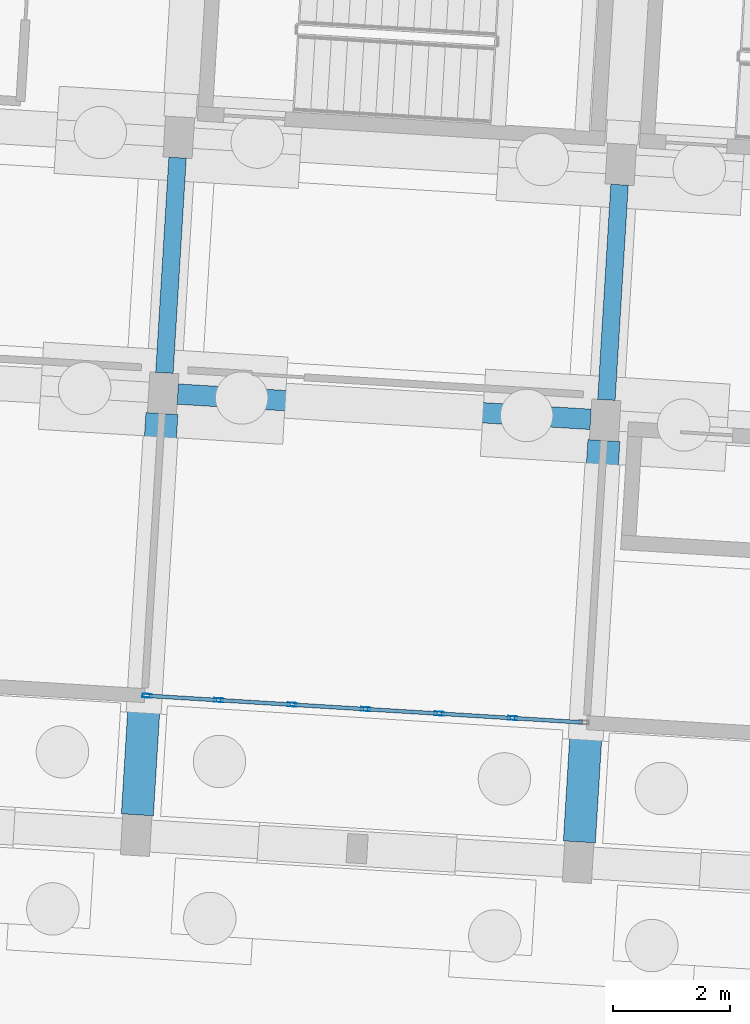
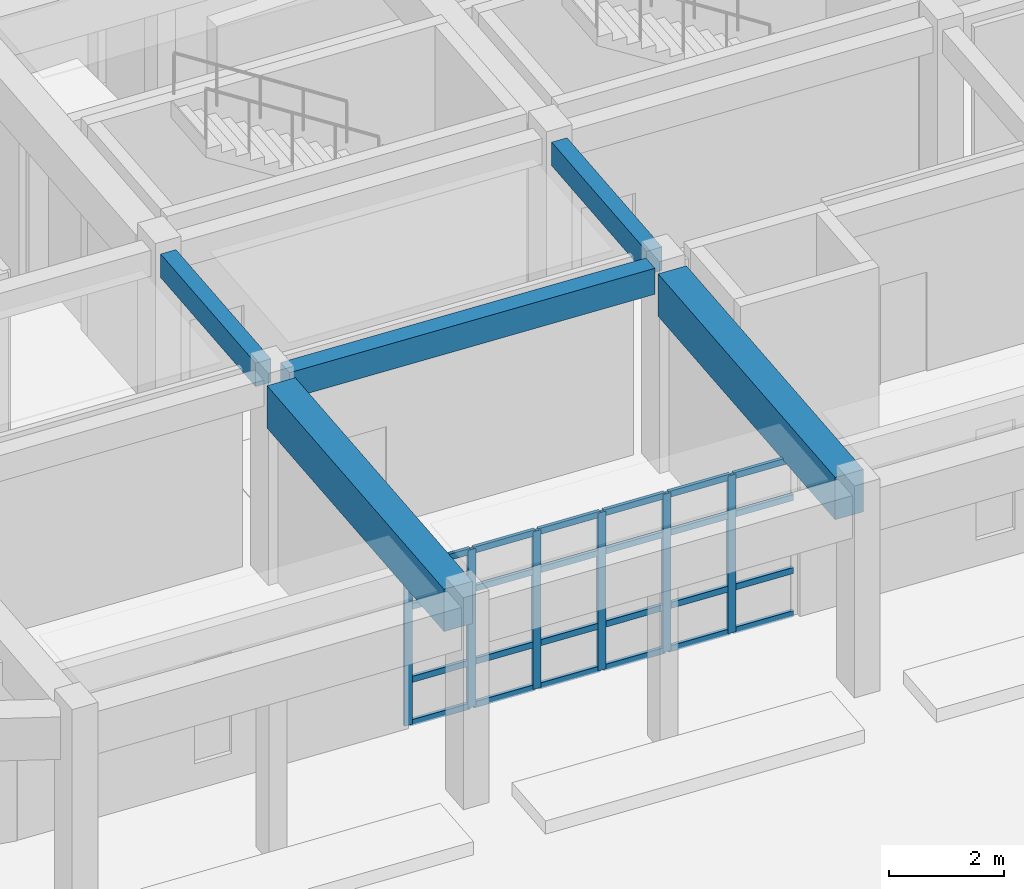
# One storey, part 49 of 154: 30 members, 5 beams, 1 element without a shape of its own.
"""IFC4 building model written with IfcOpenShell, lengths in metres."""

from ifc_helpers import new_model, si_unit, direction, frame, origin, origin_2d, place, context, subcontext, project, spatial, rectangle, hollow_rectangle, extrude, material, material_profile, profile_set, type_object, element, aggregate, save


model = new_model("IFC4")

# Units and contexts
model_context = context("Model", 3, precision=1e-05, world=origin(), true_north=direction((0.0, 1.0)))
body_context = subcontext(model_context, "Body", "Model", "MODEL_VIEW")
ifc_project = project(units=[si_unit("LENGTHUNIT", "METRE"), si_unit("AREAUNIT", "SQUARE_METRE"), si_unit("VOLUMEUNIT", "CUBIC_METRE"), si_unit("PLANEANGLEUNIT", "RADIAN"), si_unit("MASSUNIT", "GRAM", prefix="KILO")], contexts=[model_context])

# Site, building, storey
site_placement = place(None, origin())
site = spatial("IfcSite", under=ifc_project, at=site_placement, CompositionType="ELEMENT")
building_placement = place(site_placement, origin())
building = spatial("IfcBuilding", under=site, at=building_placement, Name="Kestramere Prow Commons", CompositionType="ELEMENT")
storey_placement = place(building_placement, origin())
storey = spatial("IfcBuildingStorey", under=building, at=storey_placement, Name="L00", CompositionType="ELEMENT", Elevation=0.0)

# Beams
ifc_material_1 = material(Name="Precast concrete C40/50", Category="concrete")
ifc_material_profile_1 = material_profile(ifc_material_1, rectangle(XDim=0.35009765625, YDim=0.550048828125, at=origin_2d()), Name="PC-BM 350x550")
ifc_profile_set_1 = profile_set([ifc_material_profile_1], Name="Precast concrete C40/50")
beam_type_1 = type_object("IfcBeamType", Name="BM-C1 PC-BM 350x550", PredefinedType="BEAM", material=ifc_profile_set_1)
beam_1_placement = place(storey_placement, frame((67.79931640625, 53.606689453125, 3.97509765625), z_axis=(0.998133472633, -0.061070212127, 0.0), x_axis=(0.061070212127, 0.998133472633, 0.0)))
element("IfcBeam", 1, at=beam_1_placement, inside=storey, type_object=beam_type_1, Name="Block C L00 Longitudinal Beam 2-2", PredefinedType="BEAM", context=body_context, shape_type="SweptSolid", body=[
    extrude(rectangle(XDim=0.35009765625, YDim=0.550048828125, at=origin_2d()), origin(), (0.0, 0.0, 1.0), 7.099853515625),
])
ifc_material_profile_2 = material_profile(ifc_material_1, rectangle(XDim=0.300048828125, YDim=0.5, at=origin_2d()), Name="PC-BM 300x500")
ifc_profile_set_2 = profile_set([ifc_material_profile_2], Name="Precast concrete C40/50")
beam_type_2 = type_object("IfcBeamType", Name="BM-TIE-01 PC-BM 300x500", PredefinedType="BEAM", material=ifc_profile_set_2)
for number, where, z_axis, x_axis, name in (
    (2, (67.571044921875, 53.97119140625, 4.0), (0.061100672272, 0.998131608481, 0.0), (-0.998131608481, 0.061100672272, 0.0), "Block C L00 Transverse Beam 2-2"),
    (3, (75.156982421875, 53.50732421875, 4.0), (0.061034934762, 0.998135630432, 0.0), (-0.998135630432, 0.061034934762, 0.0), "Block C L00 Transverse Beam 3-2"),
):
    element("IfcBeam", number, at=place(storey_placement, frame(where, z_axis=z_axis, x_axis=x_axis)), inside=storey, type_object=beam_type_2, Name=name, PredefinedType="BEAM", context=body_context, shape_type="SweptSolid", body=[
        extrude(rectangle(XDim=0.300048828125, YDim=0.5, at=origin_2d()), origin(), (0.0, 0.0, 1.0), 3.699951171875),
    ])

# Curtain wall, members
ifc_material_2 = material(Name="Anodised Aluminium and Low-E Glass", Category="aluminium")
curtain_wall_type = type_object("IfcCurtainWallType", Name="CW-07 Glazed Curtain Wall 7580x3350", PredefinedType="USERDEFINED", material=ifc_material_2)
curtain_wall_placement = place(storey_placement, origin())
curtain_wall = element("IfcCurtainWall", 4, at=curtain_wall_placement, inside=storey, type_object=curtain_wall_type, Name="Block C L00 South Colonnade Storefront 2", ObjectType="GLAZED CURTAIN WALL", PredefinedType="USERDEFINED")
ifc_material_3 = material(Name="Anodised Aluminium 6063-T6", Category="aluminium")
ifc_material_profile_3 = material_profile(ifc_material_3, hollow_rectangle(XDim=0.06494140625, YDim=0.159912109375, WallThickness=0.00390625, at=origin_2d()), Name="ALU-MUL 65x160")
ifc_profile_set_3 = profile_set([ifc_material_profile_3], Name="Anodised Aluminium 6063-T6")
member_type_1 = type_object("IfcMemberType", Name="CW-MUL-65x160", PredefinedType="MULLION", material=ifc_profile_set_3)
member_1_placement = place(storey_placement, frame((73.547119140625, 48.04541015625, 0.0), z_axis=(0.0, 0.0, 1.0), x_axis=(-0.061048546939, -0.998134797969, 0.0)))
member_1 = element("IfcMember", 5, at=member_1_placement, type_object=member_type_1, Name="CW-07 mullion 2", PredefinedType="MULLION", context=body_context, shape_type="SweptSolid", body=[
    extrude(hollow_rectangle(XDim=0.06494140625, YDim=0.159912109375, WallThickness=0.00390625, at=origin_2d()), origin(), (0.0, 0.0, 1.0), 3.35009765625),
])
member_2_placement = place(storey_placement, frame((72.2861328125, 48.12255859375, 0.0), z_axis=(0.0, 0.0, 1.0), x_axis=(-0.061048546939, -0.998134797969, 0.0)))
member_2 = element("IfcMember", 6, at=member_2_placement, type_object=member_type_1, Name="CW-07 mullion 3", PredefinedType="MULLION", context=body_context, shape_type="SweptSolid", body=[
    extrude(hollow_rectangle(XDim=0.06494140625, YDim=0.159912109375, WallThickness=0.00390625, at=origin_2d()), origin(), (0.0, 0.0, 1.0), 3.35009765625),
])
member_3_placement = place(storey_placement, frame((71.025146484375, 48.199462890625, 0.0), z_axis=(0.0, 0.0, 1.0), x_axis=(-0.061048546939, -0.998134797969, 0.0)))
member_3 = element("IfcMember", 7, at=member_3_placement, type_object=member_type_1, Name="CW-07 mullion 4", PredefinedType="MULLION", context=body_context, shape_type="SweptSolid", body=[
    extrude(hollow_rectangle(XDim=0.06494140625, YDim=0.159912109375, WallThickness=0.00390625, at=origin_2d()), origin(), (0.0, 0.0, 1.0), 3.35009765625),
])
member_4_placement = place(storey_placement, frame((69.76416015625, 48.276611328125, 0.0), z_axis=(0.0, 0.0, 1.0), x_axis=(-0.061048546939, -0.998134797969, 0.0)))
member_4 = element("IfcMember", 8, at=member_4_placement, type_object=member_type_1, Name="CW-07 mullion 5", PredefinedType="MULLION", context=body_context, shape_type="SweptSolid", body=[
    extrude(hollow_rectangle(XDim=0.06494140625, YDim=0.159912109375, WallThickness=0.00390625, at=origin_2d()), origin(), (0.0, 0.0, 1.0), 3.35009765625),
])
member_5_placement = place(storey_placement, frame((68.50341796875, 48.353759765625, 0.0), z_axis=(0.0, 0.0, 1.0), x_axis=(-0.061048546939, -0.998134797969, 0.0)))
member_5 = element("IfcMember", 9, at=member_5_placement, type_object=member_type_1, Name="CW-07 mullion 6", PredefinedType="MULLION", context=body_context, shape_type="SweptSolid", body=[
    extrude(hollow_rectangle(XDim=0.06494140625, YDim=0.159912109375, WallThickness=0.00390625, at=origin_2d()), origin(), (0.0, 0.0, 1.0), 3.35009765625),
])
member_6_placement = place(storey_placement, frame((67.274658203125, 48.428955078125, 0.0), z_axis=(0.0, 0.0, 1.0), x_axis=(-0.061048546939, -0.998134797969, 0.0)))
member_6 = element("IfcMember", 10, at=member_6_placement, type_object=member_type_1, Name="CW-07 mullion 7", PredefinedType="MULLION", context=body_context, shape_type="SweptSolid", body=[
    extrude(hollow_rectangle(XDim=0.06494140625, YDim=0.159912109375, WallThickness=0.00390625, at=origin_2d()), origin(), (0.0, 0.0, 1.0), 3.35009765625),
])
ifc_material_profile_4 = material_profile(ifc_material_3, hollow_rectangle(XDim=0.06494140625, YDim=0.1298828125, WallThickness=0.00390625, at=origin_2d()), Name="ALU-TRN 65x130")
ifc_profile_set_4 = profile_set([ifc_material_profile_4], Name="Anodised Aluminium 6063-T6")
member_type_2 = type_object("IfcMemberType", Name="CW-TRN-65x130", PredefinedType="USERDEFINED", material=ifc_profile_set_4)
member_7_placement = place(storey_placement, frame((74.743408203125, 47.97216796875, 0.032470703125), z_axis=(-0.99812920862, 0.061139863419, 0.0), x_axis=(-0.061139863419, -0.99812920862, 0.0)))
member_7 = element("IfcMember", 11, at=member_7_placement, type_object=member_type_2, Name="CW-07 transom 1.1", ObjectType="TRANSOM", PredefinedType="USERDEFINED", context=body_context, shape_type="SweptSolid", body=[
    extrude(hollow_rectangle(XDim=0.06494140625, YDim=0.1298828125, WallThickness=0.00390625, at=origin_2d()), origin(), (0.0, 0.0, 1.0), 1.166015625),
])
member_8_placement = place(storey_placement, frame((74.743408203125, 47.97216796875, 0.949951171875), z_axis=(-0.99812920862, 0.061139863419, 0.0), x_axis=(-0.061139863419, -0.99812920862, 0.0)))
member_8 = element("IfcMember", 12, at=member_8_placement, type_object=member_type_2, Name="CW-07 transom 1.2", ObjectType="TRANSOM", PredefinedType="USERDEFINED", context=body_context, shape_type="SweptSolid", body=[
    extrude(hollow_rectangle(XDim=0.06494140625, YDim=0.1298828125, WallThickness=0.00390625, at=origin_2d()), origin(), (0.0, 0.0, 1.0), 1.166015625),
])
member_9_placement = place(storey_placement, frame((74.743408203125, 47.97216796875, 2.5), z_axis=(-0.99812920862, 0.061139863419, 0.0), x_axis=(-0.061139863419, -0.99812920862, 0.0)))
member_9 = element("IfcMember", 13, at=member_9_placement, type_object=member_type_2, Name="CW-07 transom 1.3", ObjectType="TRANSOM", PredefinedType="USERDEFINED", context=body_context, shape_type="SweptSolid", body=[
    extrude(hollow_rectangle(XDim=0.06494140625, YDim=0.1298828125, WallThickness=0.00390625, at=origin_2d()), origin(), (0.0, 0.0, 1.0), 1.166015625),
])
member_10_placement = place(storey_placement, frame((74.743408203125, 47.97216796875, 3.3173828125), z_axis=(-0.99812920862, 0.061139863419, 0.0), x_axis=(-0.061139863419, -0.99812920862, 0.0)))
member_10 = element("IfcMember", 14, at=member_10_placement, type_object=member_type_2, Name="CW-07 transom 1.4", ObjectType="TRANSOM", PredefinedType="USERDEFINED", context=body_context, shape_type="SweptSolid", body=[
    extrude(hollow_rectangle(XDim=0.06494140625, YDim=0.1298828125, WallThickness=0.00390625, at=origin_2d()), origin(), (0.0, 0.0, 1.0), 1.166015625),
])
member_11_placement = place(storey_placement, frame((73.5146484375, 48.04736328125, 0.032470703125), z_axis=(-0.998142682054, 0.060919506416, 0.0), x_axis=(-0.060919506416, -0.998142682054, 0.0)))
member_11 = element("IfcMember", 15, at=member_11_placement, type_object=member_type_2, Name="CW-07 transom 2.1", ObjectType="TRANSOM", PredefinedType="USERDEFINED", context=body_context, shape_type="SweptSolid", body=[
    extrude(hollow_rectangle(XDim=0.06494140625, YDim=0.1298828125, WallThickness=0.00390625, at=origin_2d()), origin(), (0.0, 0.0, 1.0), 1.1982421875),
])
member_12_placement = place(storey_placement, frame((73.5146484375, 48.04736328125, 0.949951171875), z_axis=(-0.998142682054, 0.060919506416, 0.0), x_axis=(-0.060919506416, -0.998142682054, 0.0)))
member_12 = element("IfcMember", 16, at=member_12_placement, type_object=member_type_2, Name="CW-07 transom 2.2", ObjectType="TRANSOM", PredefinedType="USERDEFINED", context=body_context, shape_type="SweptSolid", body=[
    extrude(hollow_rectangle(XDim=0.06494140625, YDim=0.1298828125, WallThickness=0.00390625, at=origin_2d()), origin(), (0.0, 0.0, 1.0), 1.1982421875),
])
member_13_placement = place(storey_placement, frame((73.5146484375, 48.04736328125, 2.5), z_axis=(-0.998142682054, 0.060919506416, 0.0), x_axis=(-0.060919506416, -0.998142682054, 0.0)))
member_13 = element("IfcMember", 17, at=member_13_placement, type_object=member_type_2, Name="CW-07 transom 2.3", ObjectType="TRANSOM", PredefinedType="USERDEFINED", context=body_context, shape_type="SweptSolid", body=[
    extrude(hollow_rectangle(XDim=0.06494140625, YDim=0.1298828125, WallThickness=0.00390625, at=origin_2d()), origin(), (0.0, 0.0, 1.0), 1.1982421875),
])
member_14_placement = place(storey_placement, frame((73.5146484375, 48.04736328125, 3.3173828125), z_axis=(-0.998142682054, 0.060919506416, 0.0), x_axis=(-0.060919506416, -0.998142682054, 0.0)))
member_14 = element("IfcMember", 18, at=member_14_placement, type_object=member_type_2, Name="CW-07 transom 2.4", ObjectType="TRANSOM", PredefinedType="USERDEFINED", context=body_context, shape_type="SweptSolid", body=[
    extrude(hollow_rectangle(XDim=0.06494140625, YDim=0.1298828125, WallThickness=0.00390625, at=origin_2d()), origin(), (0.0, 0.0, 1.0), 1.1982421875),
])
member_15_placement = place(storey_placement, frame((72.25390625, 48.12451171875, 0.032470703125), z_axis=(-0.998143437956, 0.06090711999, 0.0), x_axis=(-0.06090711999, -0.998143437956, 0.0)))
member_15 = element("IfcMember", 19, at=member_15_placement, type_object=member_type_2, Name="CW-07 transom 3.1", ObjectType="TRANSOM", PredefinedType="USERDEFINED", context=body_context, shape_type="SweptSolid", body=[
    extrude(hollow_rectangle(XDim=0.06494140625, YDim=0.1298828125, WallThickness=0.00390625, at=origin_2d()), origin(), (0.0, 0.0, 1.0), 1.198486328125),
])
member_16_placement = place(storey_placement, frame((72.25390625, 48.12451171875, 0.949951171875), z_axis=(-0.998143437956, 0.06090711999, 0.0), x_axis=(-0.06090711999, -0.998143437956, 0.0)))
member_16 = element("IfcMember", 20, at=member_16_placement, type_object=member_type_2, Name="CW-07 transom 3.2", ObjectType="TRANSOM", PredefinedType="USERDEFINED", context=body_context, shape_type="SweptSolid", body=[
    extrude(hollow_rectangle(XDim=0.06494140625, YDim=0.1298828125, WallThickness=0.00390625, at=origin_2d()), origin(), (0.0, 0.0, 1.0), 1.198486328125),
])
member_17_placement = place(storey_placement, frame((72.25390625, 48.12451171875, 2.5), z_axis=(-0.998143437956, 0.06090711999, 0.0), x_axis=(-0.06090711999, -0.998143437956, 0.0)))
member_17 = element("IfcMember", 21, at=member_17_placement, type_object=member_type_2, Name="CW-07 transom 3.3", ObjectType="TRANSOM", PredefinedType="USERDEFINED", context=body_context, shape_type="SweptSolid", body=[
    extrude(hollow_rectangle(XDim=0.06494140625, YDim=0.1298828125, WallThickness=0.00390625, at=origin_2d()), origin(), (0.0, 0.0, 1.0), 1.198486328125),
])
member_18_placement = place(storey_placement, frame((72.25390625, 48.12451171875, 3.3173828125), z_axis=(-0.998143437956, 0.06090711999, 0.0), x_axis=(-0.06090711999, -0.998143437956, 0.0)))
member_18 = element("IfcMember", 22, at=member_18_placement, type_object=member_type_2, Name="CW-07 transom 3.4", ObjectType="TRANSOM", PredefinedType="USERDEFINED", context=body_context, shape_type="SweptSolid", body=[
    extrude(hollow_rectangle(XDim=0.06494140625, YDim=0.1298828125, WallThickness=0.00390625, at=origin_2d()), origin(), (0.0, 0.0, 1.0), 1.198486328125),
])
member_19_placement = place(storey_placement, frame((70.992919921875, 48.20166015625, 0.032470703125), z_axis=(-0.998143437956, 0.06090711999, 0.0), x_axis=(-0.06090711999, -0.998143437956, 0.0)))
member_19 = element("IfcMember", 23, at=member_19_placement, type_object=member_type_2, Name="CW-07 transom 4.1", ObjectType="TRANSOM", PredefinedType="USERDEFINED", context=body_context, shape_type="SweptSolid", body=[
    extrude(hollow_rectangle(XDim=0.06494140625, YDim=0.1298828125, WallThickness=0.00390625, at=origin_2d()), origin(), (0.0, 0.0, 1.0), 1.198486328125),
])
member_20_placement = place(storey_placement, frame((70.992919921875, 48.20166015625, 0.949951171875), z_axis=(-0.998143437956, 0.06090711999, 0.0), x_axis=(-0.06090711999, -0.998143437956, 0.0)))
member_20 = element("IfcMember", 24, at=member_20_placement, type_object=member_type_2, Name="CW-07 transom 4.2", ObjectType="TRANSOM", PredefinedType="USERDEFINED", context=body_context, shape_type="SweptSolid", body=[
    extrude(hollow_rectangle(XDim=0.06494140625, YDim=0.1298828125, WallThickness=0.00390625, at=origin_2d()), origin(), (0.0, 0.0, 1.0), 1.198486328125),
])
member_21_placement = place(storey_placement, frame((70.992919921875, 48.20166015625, 2.5), z_axis=(-0.998143437956, 0.06090711999, 0.0), x_axis=(-0.06090711999, -0.998143437956, 0.0)))
member_21 = element("IfcMember", 25, at=member_21_placement, type_object=member_type_2, Name="CW-07 transom 4.3", ObjectType="TRANSOM", PredefinedType="USERDEFINED", context=body_context, shape_type="SweptSolid", body=[
    extrude(hollow_rectangle(XDim=0.06494140625, YDim=0.1298828125, WallThickness=0.00390625, at=origin_2d()), origin(), (0.0, 0.0, 1.0), 1.198486328125),
])
member_22_placement = place(storey_placement, frame((70.992919921875, 48.20166015625, 3.3173828125), z_axis=(-0.998143437956, 0.06090711999, 0.0), x_axis=(-0.06090711999, -0.998143437956, 0.0)))
member_22 = element("IfcMember", 26, at=member_22_placement, type_object=member_type_2, Name="CW-07 transom 4.4", ObjectType="TRANSOM", PredefinedType="USERDEFINED", context=body_context, shape_type="SweptSolid", body=[
    extrude(hollow_rectangle(XDim=0.06494140625, YDim=0.1298828125, WallThickness=0.00390625, at=origin_2d()), origin(), (0.0, 0.0, 1.0), 1.198486328125),
])
member_23_placement = place(storey_placement, frame((69.73193359375, 48.278564453125, 0.032470703125), z_axis=(-0.998131033565, 0.06111006328, 0.0), x_axis=(-0.06111006328, -0.998131033565, 0.0)))
member_23 = element("IfcMember", 27, at=member_23_placement, type_object=member_type_2, Name="CW-07 transom 5.1", ObjectType="TRANSOM", PredefinedType="USERDEFINED", context=body_context, shape_type="SweptSolid", body=[
    extrude(hollow_rectangle(XDim=0.06494140625, YDim=0.1298828125, WallThickness=0.00390625, at=origin_2d()), origin(), (0.0, 0.0, 1.0), 1.198486328125),
])
member_24_placement = place(storey_placement, frame((69.73193359375, 48.278564453125, 0.949951171875), z_axis=(-0.998131033565, 0.06111006328, 0.0), x_axis=(-0.06111006328, -0.998131033565, 0.0)))
member_24 = element("IfcMember", 28, at=member_24_placement, type_object=member_type_2, Name="CW-07 transom 5.2", ObjectType="TRANSOM", PredefinedType="USERDEFINED", context=body_context, shape_type="SweptSolid", body=[
    extrude(hollow_rectangle(XDim=0.06494140625, YDim=0.1298828125, WallThickness=0.00390625, at=origin_2d()), origin(), (0.0, 0.0, 1.0), 1.198486328125),
])
member_25_placement = place(storey_placement, frame((69.73193359375, 48.278564453125, 2.5), z_axis=(-0.998131033565, 0.06111006328, 0.0), x_axis=(-0.06111006328, -0.998131033565, 0.0)))
member_25 = element("IfcMember", 29, at=member_25_placement, type_object=member_type_2, Name="CW-07 transom 5.3", ObjectType="TRANSOM", PredefinedType="USERDEFINED", context=body_context, shape_type="SweptSolid", body=[
    extrude(hollow_rectangle(XDim=0.06494140625, YDim=0.1298828125, WallThickness=0.00390625, at=origin_2d()), origin(), (0.0, 0.0, 1.0), 1.198486328125),
])
member_26_placement = place(storey_placement, frame((69.73193359375, 48.278564453125, 3.3173828125), z_axis=(-0.998131033565, 0.06111006328, 0.0), x_axis=(-0.06111006328, -0.998131033565, 0.0)))
member_26 = element("IfcMember", 30, at=member_26_placement, type_object=member_type_2, Name="CW-07 transom 5.4", ObjectType="TRANSOM", PredefinedType="USERDEFINED", context=body_context, shape_type="SweptSolid", body=[
    extrude(hollow_rectangle(XDim=0.06494140625, YDim=0.1298828125, WallThickness=0.00390625, at=origin_2d()), origin(), (0.0, 0.0, 1.0), 1.198486328125),
])
member_27_placement = place(storey_placement, frame((68.470947265625, 48.355712890625, 0.032470703125), z_axis=(-0.99812920862, 0.061139863419, 0.0), x_axis=(-0.061139863419, -0.99812920862, 0.0)))
member_27 = element("IfcMember", 31, at=member_27_placement, type_object=member_type_2, Name="CW-07 transom 6.1", ObjectType="TRANSOM", PredefinedType="USERDEFINED", context=body_context, shape_type="SweptSolid", body=[
    extrude(hollow_rectangle(XDim=0.06494140625, YDim=0.1298828125, WallThickness=0.00390625, at=origin_2d()), origin(), (0.0, 0.0, 1.0), 1.166015625),
])
member_28_placement = place(storey_placement, frame((68.470947265625, 48.355712890625, 0.949951171875), z_axis=(-0.99812920862, 0.061139863419, 0.0), x_axis=(-0.061139863419, -0.99812920862, 0.0)))
member_28 = element("IfcMember", 32, at=member_28_placement, type_object=member_type_2, Name="CW-07 transom 6.2", ObjectType="TRANSOM", PredefinedType="USERDEFINED", context=body_context, shape_type="SweptSolid", body=[
    extrude(hollow_rectangle(XDim=0.06494140625, YDim=0.1298828125, WallThickness=0.00390625, at=origin_2d()), origin(), (0.0, 0.0, 1.0), 1.166015625),
])
member_29_placement = place(storey_placement, frame((68.470947265625, 48.355712890625, 2.5), z_axis=(-0.99812920862, 0.061139863419, 0.0), x_axis=(-0.061139863419, -0.99812920862, 0.0)))
member_29 = element("IfcMember", 33, at=member_29_placement, type_object=member_type_2, Name="CW-07 transom 6.3", ObjectType="TRANSOM", PredefinedType="USERDEFINED", context=body_context, shape_type="SweptSolid", body=[
    extrude(hollow_rectangle(XDim=0.06494140625, YDim=0.1298828125, WallThickness=0.00390625, at=origin_2d()), origin(), (0.0, 0.0, 1.0), 1.166015625),
])
member_30_placement = place(storey_placement, frame((68.470947265625, 48.355712890625, 3.3173828125), z_axis=(-0.99812920862, 0.061139863419, 0.0), x_axis=(-0.061139863419, -0.99812920862, 0.0)))
member_30 = element("IfcMember", 34, at=member_30_placement, type_object=member_type_2, Name="CW-07 transom 6.4", ObjectType="TRANSOM", PredefinedType="USERDEFINED", context=body_context, shape_type="SweptSolid", body=[
    extrude(hollow_rectangle(XDim=0.06494140625, YDim=0.1298828125, WallThickness=0.00390625, at=origin_2d()), origin(), (0.0, 0.0, 1.0), 1.166015625),
])
aggregate(curtain_wall, [member_1, member_2, member_3, member_4, member_5, member_6, member_7, member_8, member_9, member_10, member_11, member_12, member_13, member_14, member_15, member_16, member_17, member_18, member_19, member_20, member_21, member_22, member_23, member_24, member_25, member_26, member_27, member_28, member_29, member_30])

# Beams
ifc_material_profile_5 = material_profile(ifc_material_1, rectangle(XDim=0.550048828125, YDim=0.89990234375, at=origin_2d()), Name="PC-TG 550x900")
ifc_profile_set_5 = profile_set([ifc_material_profile_5], Name="Precast concrete C40/50")
beam_type_3 = type_object("IfcBeamType", Name="TG-01 PC-TG 550x900 (EX)", PredefinedType="BEAM", material=ifc_profile_set_5)
beam_2_placement = place(storey_placement, frame((67.107177734375, 46.385498046875, 3.800048828125), z_axis=(0.061036682553, 0.998135523555, 0.0), x_axis=(-0.998135523555, 0.061036682553, 0.0)))
element("IfcBeam", 35, at=beam_2_placement, inside=storey, type_object=beam_type_3, Name="Block C L00 S Colonnade Transfer Girder 2", PredefinedType="BEAM", context=body_context, shape_type="SweptSolid", body=[
    extrude(rectangle(XDim=0.550048828125, YDim=0.89990234375, at=origin_2d()), origin(), (0.0, 0.0, 1.0), 6.89990234375),
])
beam_3_placement = place(storey_placement, frame((74.693115234375, 45.92138671875, 3.800048828125), z_axis=(0.061034526959, 0.998135655369, 0.0), x_axis=(-0.998135655369, 0.061034526959, 0.0)))
element("IfcBeam", 36, at=beam_3_placement, inside=storey, type_object=beam_type_3, Name="Block C L00 S Colonnade Transfer Girder 3", PredefinedType="BEAM", context=body_context, shape_type="SweptSolid", body=[
    extrude(rectangle(XDim=0.550048828125, YDim=0.89990234375, at=origin_2d()), origin(), (0.0, 0.0, 1.0), 6.900146484375),
])

save(model, "model.ifc")
